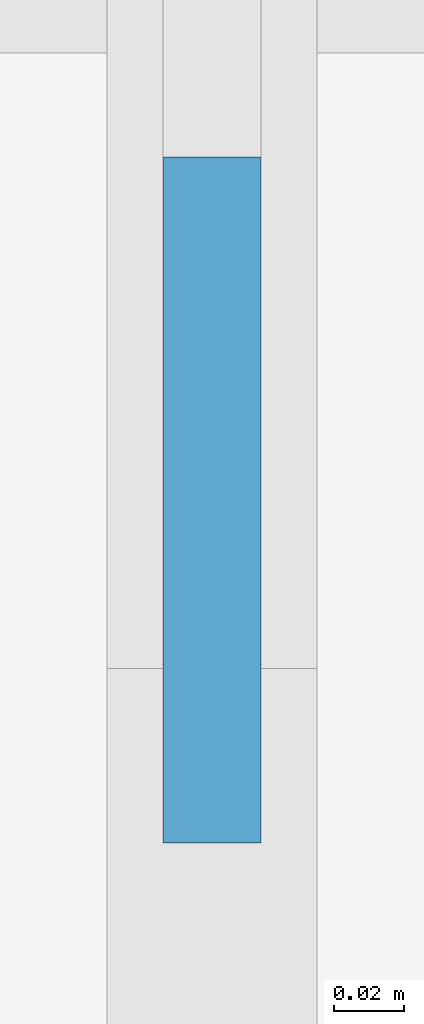
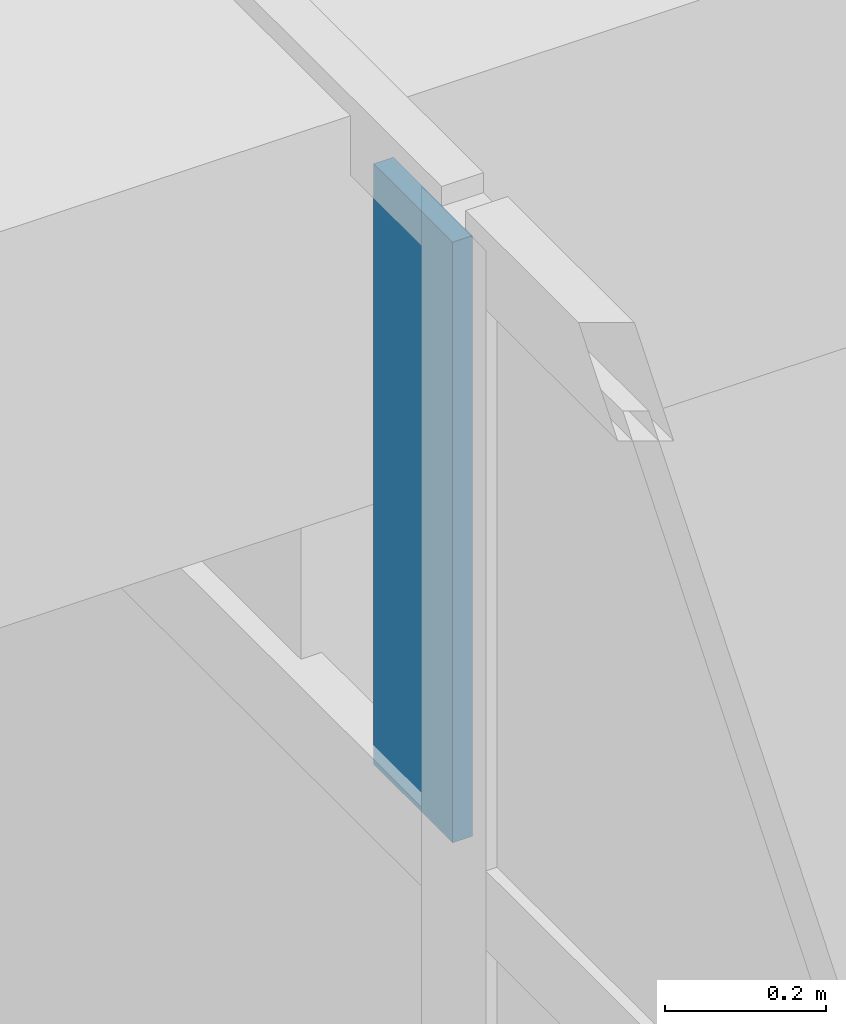
# One storey, part 39 of 85: 1 plate, 1 element without a shape of its own.
"""IFC4 building model written with IfcOpenShell, lengths in metres."""

from ifc_helpers import new_model, si_unit, direction, frame, origin, origin_2d, place, context, subcontext, project, spatial, rectangle, extrude, material, layer, layer_set, type_object, element, aggregate, save


model = new_model("IFC4")

# Units and contexts
model_context = context("Model", 3, precision=1e-05, world=origin(), true_north=direction((0.0, 1.0)))
body_context = subcontext(model_context, "Body", "Model", "MODEL_VIEW")
ifc_project = project(units=[si_unit("LENGTHUNIT", "METRE"), si_unit("AREAUNIT", "SQUARE_METRE"), si_unit("VOLUMEUNIT", "CUBIC_METRE"), si_unit("PLANEANGLEUNIT", "RADIAN"), si_unit("MASSUNIT", "GRAM", prefix="KILO")], contexts=[model_context])

# Site, building, storey
site_placement = place(None, origin())
site = spatial("IfcSite", under=ifc_project, at=site_placement, CompositionType="ELEMENT")
building_placement = place(site_placement, origin())
building = spatial("IfcBuilding", under=site, at=building_placement, Name="Rain Tree Exposition and Congress Centre", CompositionType="ELEMENT")
storey_placement = place(building_placement, frame((0.0, 0.0, 15.0)))
storey = spatial("IfcBuildingStorey", under=building, at=storey_placement, Name="L03", CompositionType="ELEMENT", Elevation=15.0)

# Curtain wall, plate
ifc_material_1 = material(Name="Aluminium curtain wall", Category="aluminium")
curtain_wall_type = type_object("IfcCurtainWallType", Name="Wing curtain wall 1925", PredefinedType="NOTDEFINED", material=ifc_material_1)
curtain_wall_placement = place(storey_placement, origin())
curtain_wall = element("IfcCurtainWall", 1, at=curtain_wall_placement, inside=storey, type_object=curtain_wall_type, Name="Curtain wall CWW508", PredefinedType="NOTDEFINED")
ifc_material_2 = material(Name="Double glazed unit", Category="glass")
ifc_layer = layer(ifc_material_2, 0.028076171875)
ifc_layer_set = layer_set([ifc_layer], Name="Double glazed unit")
plate_type = type_object("IfcPlateType", Name="Wing glazing panel 28", PredefinedType="CURTAIN_PANEL", material=ifc_layer_set)
plate_placement = place(storey_placement, frame((43.60009765625, 41.572021484375, 3.18017578125), z_axis=(0.0, 0.0, 1.0), x_axis=(0.0, 1.0, 0.0)))
plate = element("IfcPlate", 2, at=plate_placement, type_object=plate_type, Name="CWW508 panel 8.4", PredefinedType="CURTAIN_PANEL", context=body_context, shape_type="SweptSolid", body=[
    extrude(rectangle(XDim=0.1962890625, YDim=0.028076171875, at=origin_2d()), origin(), (0.0, 0.0, 1.0), 0.909912109375),
])
aggregate(curtain_wall, [plate])

save(model, "model.ifc")
